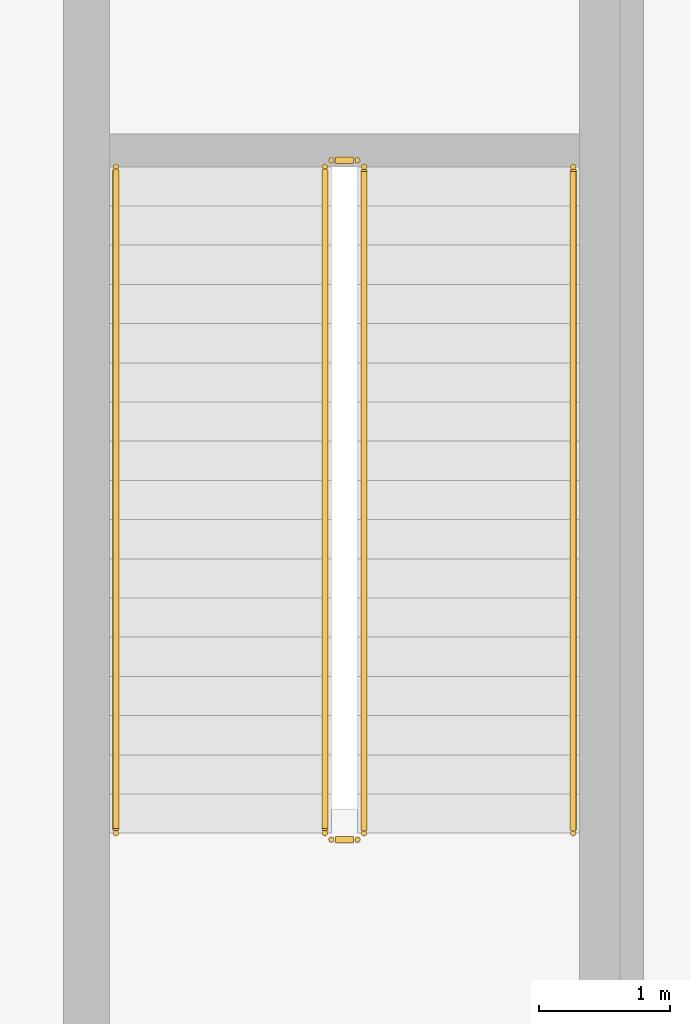
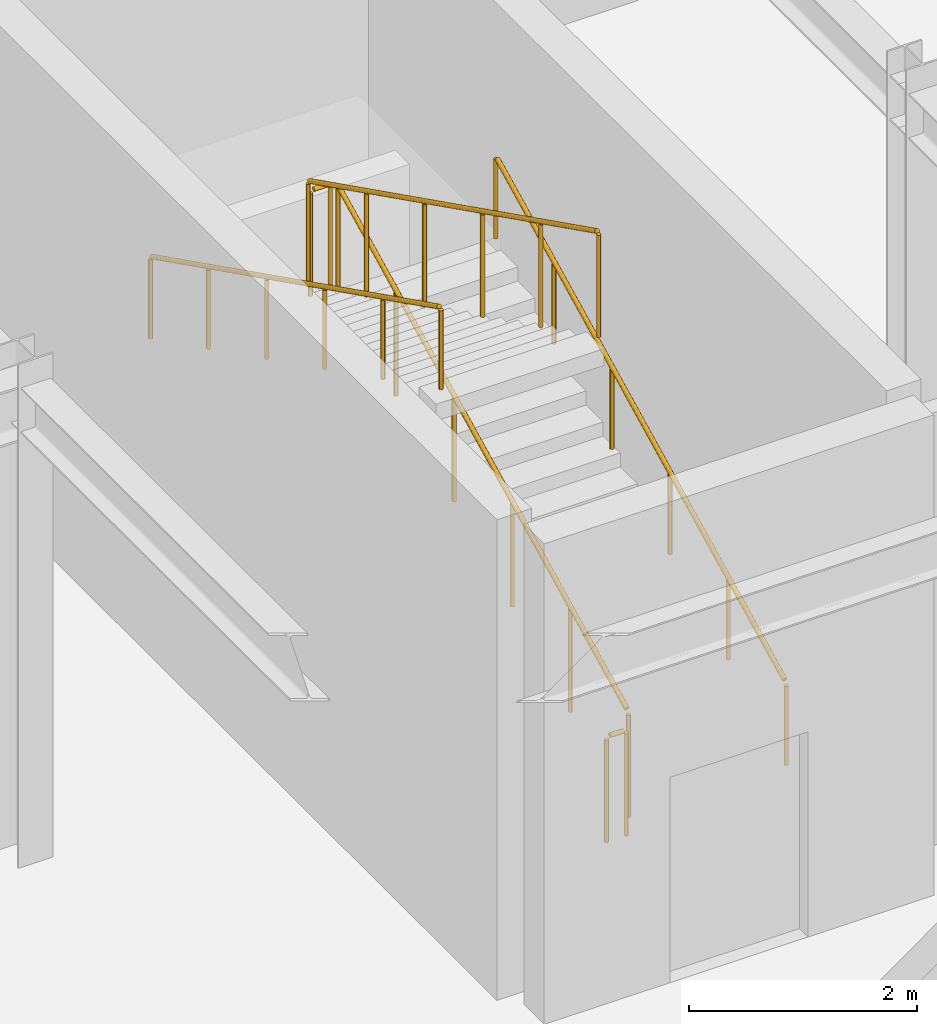
# One storey, part 166 of 166: 6 railings.
"""IFC4 building model written with IfcOpenShell, lengths in metres."""

import ifcopenshell
import ifcopenshell.guid

model = None  # the IFC model being written
_history = None  # IfcOwnerHistory: only IFC2X3 demands one
_inside = {}  # id of a spatial element -> (the spatial element, [elements in it])
_under = {}  # id of a project, library or spatial element -> (it, [spatial elements below it])
_declared = {}  # id of a project -> (the project, [libraries it declares])
_typed = {}  # id of a type object -> (the type object, [elements of that type])
_made_of = {}  # id of a material, layer set ... -> (it, [elements and type objects made of it])


def new_model(schema):
    """Start an empty IFC model of exactly this schema.

    Asked for "IFC4X3", IfcOpenShell would pick the latest addendum, in which some entities
    have other attributes; the version numbers below select the first issue.
    IFC2X3 requires an IfcOwnerHistory on every rooted entity: one is made here for all.
    """
    global model, _history
    if schema == "IFC4X3":
        model = ifcopenshell.file(schema_version=(4, 3, 0, 0))
    else:
        model = ifcopenshell.file(schema=schema)
    _inside.clear()
    _under.clear()
    _declared.clear()
    _typed.clear()
    _made_of.clear()
    _history = None
    if model.schema == "IFC2X3":
        org = make("IfcOrganization", Name="unknown")
        user = make(
            "IfcPersonAndOrganization",
            ThePerson=make("IfcPerson", FamilyName="unknown"),
            TheOrganization=org,
        )
        app = make(
            "IfcApplication",
            ApplicationDeveloper=org,
            Version="unknown",
            ApplicationFullName="unknown",
            ApplicationIdentifier="unknown",
        )
        _history = make(
            "IfcOwnerHistory",
            OwningUser=user,
            OwningApplication=app,
            ChangeAction="ADDED",
            CreationDate=0,
        )
    return model


def make(cls, **values):
    """One entity of the class cls with the attributes given. An attribute that is None is left unset."""
    return model.create_entity(
        cls, **{name: value for name, value in values.items() if value is not None}
    )


def rooted(cls, **values):
    """An entity with a GlobalId (a new one), such as an element, a storey or a relation."""
    return make(cls, GlobalId=ifcopenshell.guid.new(), OwnerHistory=_history, **values)


def si_unit(unit_type, name, prefix=None):
    """IfcSIUnit, for example si_unit("LENGTHUNIT", "METRE", prefix="MILLI")."""
    return make("IfcSIUnit", UnitType=unit_type, Prefix=prefix, Name=name)


def assignment(units):
    """IfcUnitAssignment: the units of a project."""
    return None if units is None else make("IfcUnitAssignment", Units=units)


def point(xyz):
    """IfcCartesianPoint."""
    return None if xyz is None else make("IfcCartesianPoint", Coordinates=xyz)


def direction(xyz):
    """IfcDirection."""
    return None if xyz is None else make("IfcDirection", DirectionRatios=xyz)


def frame(location, z_axis=None, x_axis=None):
    """IfcAxis2Placement3D, a coordinate frame: its origin and axes. An axis left out is left unset."""
    return make(
        "IfcAxis2Placement3D",
        Location=point(location),
        Axis=direction(z_axis),
        RefDirection=direction(x_axis),
    )


def frame_2d(location, x_axis=None):
    """IfcAxis2Placement2D, a coordinate frame in the plane: its origin and x axis."""
    return make(
        "IfcAxis2Placement2D", Location=point(location), RefDirection=direction(x_axis)
    )


def origin():
    """The frame at (0, 0, 0) with its axes left unset."""
    return frame((0.0, 0.0, 0.0))


def origin_2d():
    """The frame at (0, 0) in the plane with its x axis left unset."""
    return frame_2d((0.0, 0.0))


def place(relative_to, where):
    """IfcLocalPlacement: puts the frame where relative to a parent placement (None: the world)."""
    return make(
        "IfcLocalPlacement", PlacementRelTo=relative_to, RelativePlacement=where
    )


def context(
    kind, dimensions, precision=None, world=None, true_north=None, identifier=None
):
    """IfcGeometricRepresentationContext, for example the 3D "Model" context."""
    return make(
        "IfcGeometricRepresentationContext",
        ContextIdentifier=identifier,
        ContextType=kind,
        CoordinateSpaceDimension=dimensions,
        Precision=precision,
        WorldCoordinateSystem=world,
        TrueNorth=true_north,
    )


def subcontext(parent, identifier, kind, view, scale=None):
    """IfcGeometricRepresentationSubContext, for example "Body" below "Model"."""
    return make(
        "IfcGeometricRepresentationSubContext",
        ContextIdentifier=identifier,
        ContextType=kind,
        ParentContext=parent,
        TargetScale=scale,
        TargetView=view,
    )


def project(units=None, contexts=None):
    """IfcProject with its units and contexts."""
    return rooted(
        "IfcProject",
        Name="project",
        RepresentationContexts=contexts,
        UnitsInContext=assignment(units),
    )


def spatial(cls, under=None, at=None, **own):
    """A site, building, storey or space (cls), placed at a placement, below another one or the project."""
    s = rooted(cls, ObjectPlacement=at, **own)
    if under is not None:
        _under.setdefault(under.id(), (under, []))[1].append(s)
    return s


def profile(cls, at=None, kind="AREA", **sizes):
    """A parametric profile (cls). Its sizes go by their IFC names, for example OverallWidth=200.0."""
    return make(cls, ProfileType=kind, Position=at, **sizes)


def circle(**sizes):
    """IfcCircleProfileDef."""
    return profile("IfcCircleProfileDef", **sizes)


def extrude(swept, where, along, depth):
    """IfcExtrudedAreaSolid: the profile swept, set in the frame where, extruded along a direction by depth."""
    return make(
        "IfcExtrudedAreaSolid",
        SweptArea=swept,
        Position=where,
        ExtrudedDirection=direction(along),
        Depth=depth,
    )


def shape(context_of_items, identifier, shape_type, items):
    """IfcShapeRepresentation: the items that make up one representation, for example the "Body"."""
    return make(
        "IfcShapeRepresentation",
        ContextOfItems=context_of_items,
        RepresentationIdentifier=identifier,
        RepresentationType=shape_type,
        Items=items,
    )


def material(Name=None, Category=None):
    """IfcMaterial."""
    return make("IfcMaterial", Name=Name, Category=Category)


def made_of(thing, what):
    """Note that an element or type object is made of a material, layer set ...; save() writes the relation."""
    if what is not None:
        _made_of.setdefault(what.id(), (what, []))[1].append(thing)
    return thing


def type_object(cls, material=None, **own):
    """A type object (cls), such as IfcWallType, which elements share."""
    return made_of(rooted(cls, **own), material)


def element(
    cls,
    number,
    at=None,
    inside=None,
    cuts=None,
    type_object=None,
    material=None,
    context=None,
    identifier="Body",
    shape_type=None,
    held_by="IfcProductDefinitionShape",
    body=None,
    shapes=None,
    **own,
):
    """One element of the class cls, such as IfcWall. Its Tag is "e" and its number.

    at: its placement. inside: the storey or other place that contains it. cuts: it is an
    opening in that element (IfcRelVoidsElement). A single representation is given by context,
    identifier, shape_type and body (its items); several are given by shapes. held_by: the class
    of the entity that holds the representations. save() writes the other relations.
    """
    e = rooted(cls, Tag="e%d" % number, ObjectPlacement=at, **own)
    if body is not None:
        shapes = [shape(context, identifier, shape_type, body)]
    if shapes is not None:
        e.Representation = make(held_by, Representations=shapes)
    if inside is not None:
        _inside.setdefault(inside.id(), (inside, []))[1].append(e)
    if cuts is not None:
        rooted(
            "IfcRelVoidsElement", RelatingBuildingElement=cuts, RelatedOpeningElement=e
        )
    if type_object is not None:
        _typed.setdefault(type_object.id(), (type_object, []))[1].append(e)
    return made_of(e, material)


def aggregate(whole, parts):
    """IfcRelAggregates: a whole, such as a stair, and the parts it consists of."""
    return rooted("IfcRelAggregates", RelatingObject=whole, RelatedObjects=parts)


def save(model, path):
    """Write the relations noted so far, then the file.

    IfcRelAggregates (storeys below a building ...), IfcRelContainedInSpatialStructure (elements
    in a storey), IfcRelDefinesByType, IfcRelAssociatesMaterial and IfcRelDeclares: one each for
    every whole, place, type object, material and project.
    """
    for whole, parts in _under.values():
        aggregate(whole, parts)
    for where, things in _inside.values():
        rooted(
            "IfcRelContainedInSpatialStructure",
            RelatedElements=things,
            RelatingStructure=where,
        )
    for kind, things in _typed.values():
        rooted("IfcRelDefinesByType", RelatedObjects=things, RelatingType=kind)
    for what, things in _made_of.values():
        rooted("IfcRelAssociatesMaterial", RelatedObjects=things, RelatingMaterial=what)
    for by, libraries in _declared.values():
        rooted("IfcRelDeclares", RelatingContext=by, RelatedDefinitions=libraries)
    model.write(path)


model = new_model("IFC4")

# Units and contexts
model_context = context("Model", 3, precision=1e-05, world=origin(), true_north=direction((0.0, 1.0)))
body_context = subcontext(model_context, "Body", "Model", "MODEL_VIEW")
ifc_project = project(units=[si_unit("LENGTHUNIT", "METRE"), si_unit("AREAUNIT", "SQUARE_METRE"), si_unit("VOLUMEUNIT", "CUBIC_METRE"), si_unit("PLANEANGLEUNIT", "RADIAN"), si_unit("MASSUNIT", "GRAM", prefix="KILO")], contexts=[model_context])

# Site, building, storey
site_placement = place(None, origin())
site = spatial("IfcSite", under=ifc_project, at=site_placement, CompositionType="ELEMENT")
building_placement = place(site_placement, origin())
building = spatial("IfcBuilding", under=site, at=building_placement, Name="Haizhuo Lancet Aquarium", CompositionType="ELEMENT")
storey_placement = place(building_placement, frame((0.0, 0.0, 5.39990234375)))
storey = spatial("IfcBuildingStorey", under=building, at=storey_placement, Name="L01", CompositionType="ELEMENT", Elevation=5.39990234375)

# Railings
ifc_material = material(Name="Steel S355", Category="steel")
railing_type_1 = type_object("IfcRailingType", Name="RL-GRD-1150", PredefinedType="GUARDRAIL", material=ifc_material)
railing_1_placement = place(storey_placement, frame((49.75, 24.64990234375, 0.150146484375)))
element("IfcRailing", 1, at=railing_1_placement, inside=storey, type_object=railing_type_1, Name="L01 ST-10 stair guard 1", PredefinedType="GUARDRAIL", context=body_context, shape_type="SweptSolid", body=[
    extrude(circle(Radius=0.02392578125, at=origin_2d()), frame((0.0, 0.02685546875, 1.13916015625), z_axis=(0.0, 0.894427191, 0.4472135955), x_axis=(-1.0, 0.0, 0.0)), (0.0, 0.0, 1.0), 5.64208984375),
    extrude(circle(Radius=0.02099609375, at=origin_2d()), origin(), (0.0, 0.0, 1.0), 1.097900390625),
    extrude(circle(Radius=0.02099609375, at=origin_2d()), frame((0.0, 1.02001953125, 0.510009765625)), (0.0, 0.0, 1.0), 1.097900390625),
    extrude(circle(Radius=0.02099609375, at=origin_2d()), frame((0.0, 2.0400390625, 1.02001953125)), (0.0, 0.0, 1.0), 1.097900390625),
    extrude(circle(Radius=0.02099609375, at=origin_2d()), frame((0.0, 3.06005859375, 1.530029296875)), (0.0, 0.0, 1.0), 1.097900390625),
    extrude(circle(Radius=0.02099609375, at=origin_2d()), frame((0.0, 4.080078125, 2.0400390625)), (0.0, 0.0, 1.0), 1.097900390625),
    extrude(circle(Radius=0.02099609375, at=origin_2d()), frame((0.0, 5.10009765625, 2.550048828125)), (0.0, 0.0, 1.0), 1.097900390625),
])
railing_2_placement = place(storey_placement, frame((49.699951171875, 29.800048828125, 2.7001953125)))
element("IfcRailing", 2, at=railing_2_placement, inside=storey, type_object=railing_type_1, Name="L01 ST-10 stair guard 2", PredefinedType="GUARDRAIL", context=body_context, shape_type="SweptSolid", body=[
    extrude(circle(Radius=0.02392578125, at=origin_2d()), frame((-0.030029296875, 0.0, 1.1259765625), z_axis=(-1.0, 0.0, 0.0), x_axis=(0.0, -1.0, 0.0)), (0.0, 0.0, 1.0), 0.139892578125),
    extrude(circle(Radius=0.02099609375, at=origin_2d()), origin(), (0.0, 0.0, 1.0), 1.097900390625),
    extrude(circle(Radius=0.02099609375, at=origin_2d()), frame((-0.199951171875, 0.0, 0.0)), (0.0, 0.0, 1.0), 1.097900390625),
])
railing_3_placement = place(storey_placement, frame((49.449951171875, 29.75, 2.85009765625)))
element("IfcRailing", 3, at=railing_3_placement, inside=storey, type_object=railing_type_1, Name="L01 ST-10 stair guard 3", PredefinedType="GUARDRAIL", context=body_context, shape_type="SweptSolid", body=[
    extrude(circle(Radius=0.02392578125, at=origin_2d()), frame((0.0, -0.02685546875, 1.13916015625), z_axis=(0.0, -0.894427191, 0.4472135955), x_axis=(1.0, 0.0, 0.0)), (0.0, 0.0, 1.0), 5.64208984375),
    extrude(circle(Radius=0.02099609375, at=origin_2d()), origin(), (0.0, 0.0, 1.0), 1.097900390625),
    extrude(circle(Radius=0.02099609375, at=origin_2d()), frame((0.0, -1.02001953125, 0.510009765625)), (0.0, 0.0, 1.0), 1.097900390625),
    extrude(circle(Radius=0.02099609375, at=origin_2d()), frame((0.0, -2.0400390625, 1.02001953125)), (0.0, 0.0, 1.0), 1.097900390625),
    extrude(circle(Radius=0.02099609375, at=origin_2d()), frame((0.0, -3.06005859375, 1.530029296875)), (0.0, 0.0, 1.0), 1.097900390625),
    extrude(circle(Radius=0.02099609375, at=origin_2d()), frame((0.0, -4.080078125, 2.0400390625)), (0.0, 0.0, 1.0), 1.097900390625),
    extrude(circle(Radius=0.02099609375, at=origin_2d()), frame((0.0, -5.10009765625, 2.550048828125)), (0.0, 0.0, 1.0), 1.097900390625),
])
railing_4_placement = place(storey_placement, frame((49.699951171875, 24.60009765625, 0.0)))
element("IfcRailing", 4, at=railing_4_placement, inside=storey, type_object=railing_type_1, Name="L01 ST-10 stair guard 4", PredefinedType="GUARDRAIL", context=body_context, shape_type="SweptSolid", body=[
    extrude(circle(Radius=0.02392578125, at=origin_2d()), frame((-0.030029296875, 0.0, 1.1259765625), z_axis=(-1.0, 0.0, 0.0), x_axis=(0.0, -1.0, 0.0)), (0.0, 0.0, 1.0), 0.139892578125),
    extrude(circle(Radius=0.02099609375, at=origin_2d()), origin(), (0.0, 0.0, 1.0), 1.097900390625),
    extrude(circle(Radius=0.02099609375, at=origin_2d()), frame((-0.199951171875, 0.0, 0.0)), (0.0, 0.0, 1.0), 1.097900390625),
])
railing_type_2 = type_object("IfcRailingType", Name="RL-HDR-900", PredefinedType="HANDRAIL", material=ifc_material)
railing_5_placement = place(storey_placement, frame((51.35009765625, 24.64990234375, 0.150146484375)))
element("IfcRailing", 5, at=railing_5_placement, inside=storey, type_object=railing_type_2, Name="L01 ST-10 pitch handrail 1", PredefinedType="HANDRAIL", context=body_context, shape_type="SweptSolid", body=[
    extrude(circle(Radius=0.02392578125, at=origin_2d()), frame((0.0, 0.02685546875, 0.88916015625), z_axis=(0.0, 0.894427191, 0.4472135955), x_axis=(-1.0, 0.0, 0.0)), (0.0, 0.0, 1.0), 5.64208984375),
    extrude(circle(Radius=0.02099609375, at=origin_2d()), origin(), (0.0, 0.0, 1.0), 0.847900390625),
    extrude(circle(Radius=0.02099609375, at=origin_2d()), frame((0.0, 1.02001953125, 0.510009765625)), (0.0, 0.0, 1.0), 0.847900390625),
    extrude(circle(Radius=0.02099609375, at=origin_2d()), frame((0.0, 2.0400390625, 1.02001953125)), (0.0, 0.0, 1.0), 0.847900390625),
    extrude(circle(Radius=0.02099609375, at=origin_2d()), frame((0.0, 3.06005859375, 1.530029296875)), (0.0, 0.0, 1.0), 0.847900390625),
    extrude(circle(Radius=0.02099609375, at=origin_2d()), frame((0.0, 4.080078125, 2.0400390625)), (0.0, 0.0, 1.0), 0.847900390625),
    extrude(circle(Radius=0.02099609375, at=origin_2d()), frame((0.0, 5.10009765625, 2.550048828125)), (0.0, 0.0, 1.0), 0.847900390625),
])
railing_6_placement = place(storey_placement, frame((47.85009765625, 29.75, 2.85009765625)))
element("IfcRailing", 6, at=railing_6_placement, inside=storey, type_object=railing_type_2, Name="L01 ST-10 pitch handrail 2", PredefinedType="HANDRAIL", context=body_context, shape_type="SweptSolid", body=[
    extrude(circle(Radius=0.02392578125, at=origin_2d()), frame((0.0, -0.02685546875, 0.88916015625), z_axis=(0.0, -0.894427191, 0.4472135955), x_axis=(1.0, 0.0, 0.0)), (0.0, 0.0, 1.0), 5.64208984375),
    extrude(circle(Radius=0.02099609375, at=origin_2d()), origin(), (0.0, 0.0, 1.0), 0.847900390625),
    extrude(circle(Radius=0.02099609375, at=origin_2d()), frame((0.0, -1.02001953125, 0.510009765625)), (0.0, 0.0, 1.0), 0.847900390625),
    extrude(circle(Radius=0.02099609375, at=origin_2d()), frame((0.0, -2.0400390625, 1.02001953125)), (0.0, 0.0, 1.0), 0.847900390625),
    extrude(circle(Radius=0.02099609375, at=origin_2d()), frame((0.0, -3.06005859375, 1.530029296875)), (0.0, 0.0, 1.0), 0.847900390625),
    extrude(circle(Radius=0.02099609375, at=origin_2d()), frame((0.0, -4.080078125, 2.0400390625)), (0.0, 0.0, 1.0), 0.847900390625),
    extrude(circle(Radius=0.02099609375, at=origin_2d()), frame((0.0, -5.10009765625, 2.550048828125)), (0.0, 0.0, 1.0), 0.847900390625),
])

save(model, "model.ifc")
